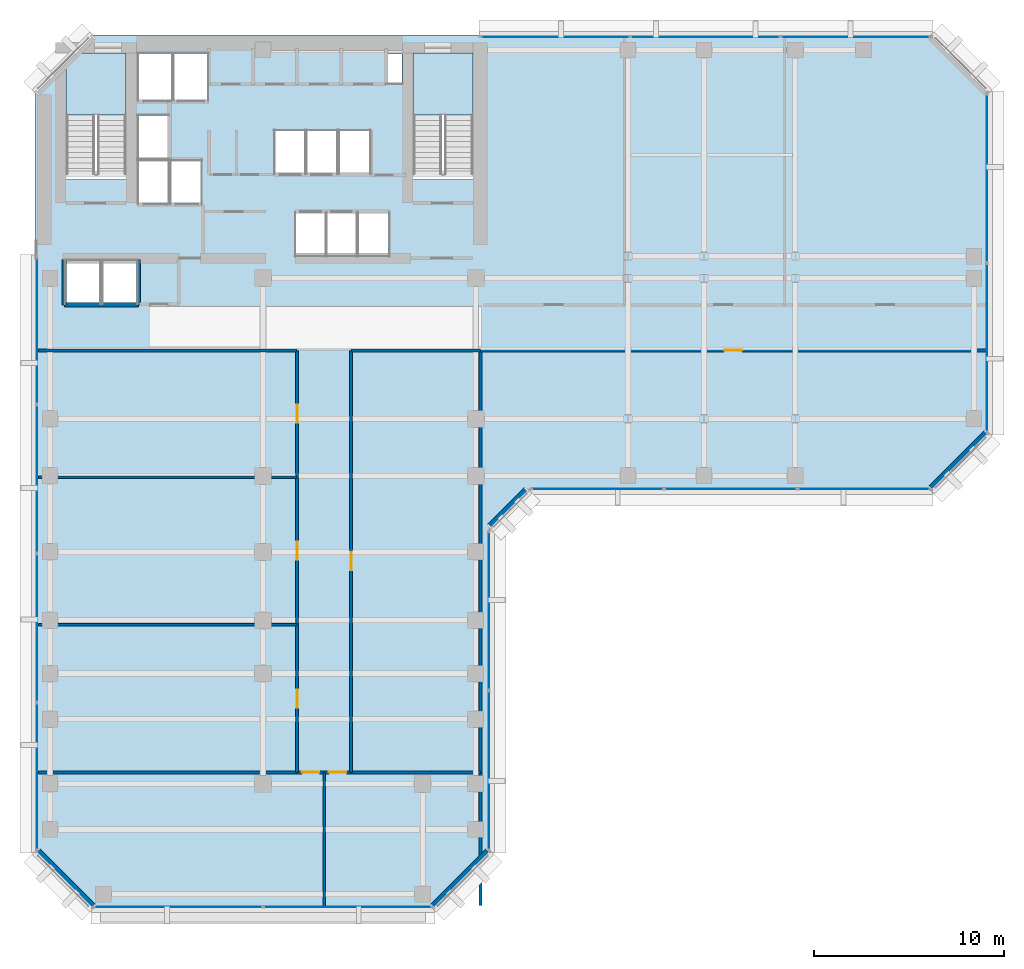
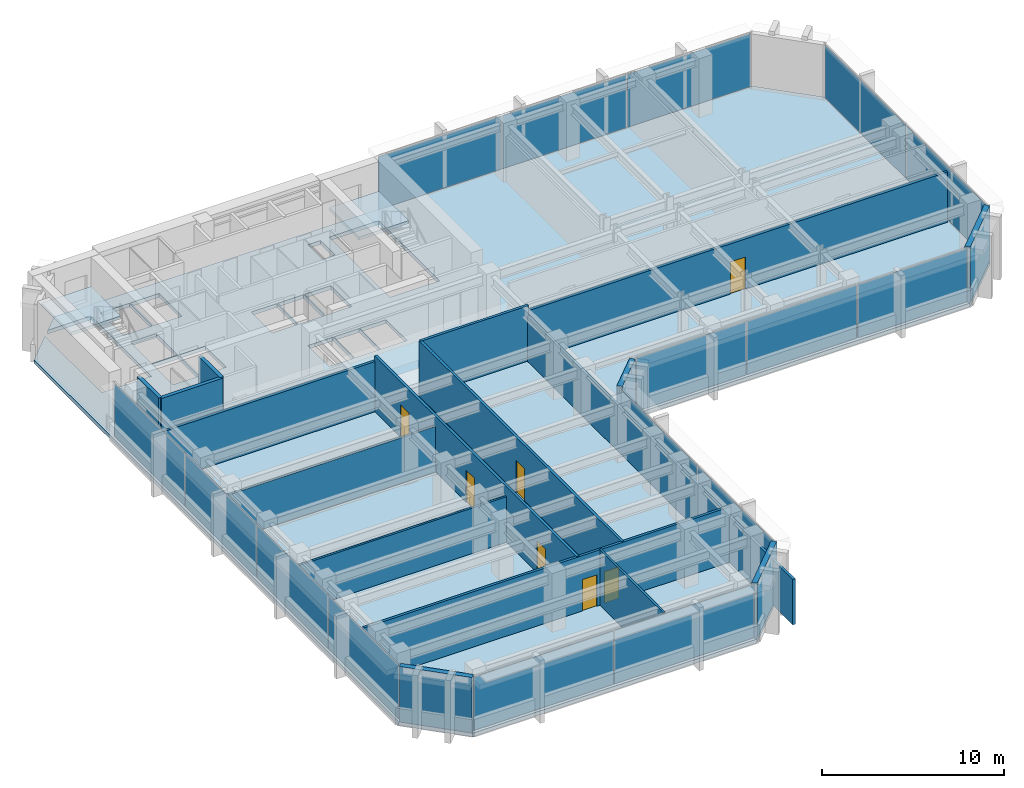
# One storey, part 6 of 11: 17 walls, 16 plates, 7 doors, 3 slabs, 7 openings, 8 elements without a shape of their own.
"""IFC4 building model written with IfcOpenShell, lengths in metres."""

from ifc_helpers import new_model, si_unit, direction, frame, frame_2d, origin, origin_2d, place, context, subcontext, project, spatial, polyline, rectangle, outline, extrude, material, layer, layer_set, type_object, element, fill, aggregate, save


model = new_model("IFC4")

# Units and contexts
model_context = context("Model", 3, precision=1e-05, world=origin(), true_north=direction((0.0, 1.0)))
body_context = subcontext(model_context, "Body", "Model", "MODEL_VIEW")
ifc_project = project(units=[si_unit("LENGTHUNIT", "METRE"), si_unit("AREAUNIT", "SQUARE_METRE"), si_unit("VOLUMEUNIT", "CUBIC_METRE"), si_unit("PLANEANGLEUNIT", "RADIAN"), si_unit("MASSUNIT", "GRAM", prefix="KILO")], contexts=[model_context])

# Site, building, storey
site_placement = place(None, origin())
site = spatial("IfcSite", under=ifc_project, at=site_placement, CompositionType="ELEMENT")
building_placement = place(site_placement, origin())
building = spatial("IfcBuilding", under=site, at=building_placement, Name="Kefirva Bronze Tower", CompositionType="ELEMENT")
storey_placement = place(building_placement, frame((0.0, 0.0, 166.64990234375)))
storey = spatial("IfcBuildingStorey", under=building, at=storey_placement, Name="L40", CompositionType="ELEMENT", Elevation=166.64990234375)

# Stair, slab
ifc_material_1 = material(Name="Concrete C40/50", Category="concrete")
stair_type = type_object("IfcStairType", Name="RC Dogleg Protected Stair 24R", PredefinedType="HALF_TURN_STAIR", material=ifc_material_1)
stair_1_placement = place(storey_placement, origin())
stair_1 = element("IfcStair", 1, at=stair_1_placement, inside=storey, type_object=stair_type, Name="L40 Protected Exit Stair 1", PredefinedType="HALF_TURN_STAIR")
ifc_layer_1 = layer(ifc_material_1, 0.199951171875, Name="Concrete C40/50")
ifc_layer_set_1 = layer_set([ifc_layer_1], Name="Concrete C40/50")
slab_type_1 = type_object("IfcSlabType", Name="RC Stair Landing Slab 200mm", PredefinedType="LANDING", material=ifc_layer_set_1)
slab_1_placement = place(storey_placement, frame((0.0, 0.0, 1.780029296875)))
slab_1 = element("IfcSlab", 2, at=slab_1_placement, type_object=slab_type_1, Name="ST-1 landing 1", PredefinedType="LANDING", context=body_context, shape_type="SweptSolid", body=[
    extrude(outline(polyline([(4.800048828125, 41.780029296875), (4.800048828125, 45.050048828125), (1.64990234375, 45.050048828125), (1.64990234375, 41.780029296875), (4.800048828125, 41.780029296875)])), origin(), (0.0, 0.0, 1.0), 0.199951171875),
])
aggregate(stair_1, [slab_1])

stair_2_placement = place(storey_placement, origin())
stair_2 = element("IfcStair", 3, at=stair_2_placement, inside=storey, type_object=stair_type, Name="L40 Protected Exit Stair 2", PredefinedType="HALF_TURN_STAIR")
slab_2_placement = place(storey_placement, frame((0.0, 0.0, 1.780029296875)))
slab_2 = element("IfcSlab", 4, at=slab_2_placement, type_object=slab_type_1, Name="ST-2 landing 1", PredefinedType="LANDING", context=body_context, shape_type="SweptSolid", body=[
    extrude(outline(polyline([(23.050048828125, 41.780029296875), (23.050048828125, 45.050048828125), (19.89990234375, 45.050048828125), (19.89990234375, 41.780029296875), (23.050048828125, 41.780029296875)])), origin(), (0.0, 0.0, 1.0), 0.199951171875),
])
aggregate(stair_2, [slab_2])

# Slab
ifc_layer_2 = layer(ifc_material_1, 0.25, Name="Concrete C40/50")
ifc_layer_set_2 = layer_set([ifc_layer_2], Name="Concrete C40/50")
slab_type_2 = type_object("IfcSlabType", Name="RC Tower Floor Slab 250mm", PredefinedType="FLOOR", material=ifc_layer_set_2)
slab_3_placement = place(storey_placement, frame((0.0, 0.0, -0.25)))
element("IfcSlab", 5, at=slab_3_placement, inside=storey, type_object=slab_type_2, Name="L40 Structural Floor Slab", PredefinedType="FLOOR", context=body_context, shape_type="SweptSolid", body=[
    extrude(outline(polyline([(0.0, 3.0), (0.0, 43.0), (1.64990234375, 44.64990234375), (1.64990234375, 38.39990234375), (4.800048828125, 38.39990234375), (4.800048828125, 45.050048828125), (2.050048828125, 45.050048828125), (3.0, 46.0), (47.199951171875, 46.0), (50.199951171875, 43.0), (50.199951171875, 25.0), (47.199951171875, 22.0), (26.0, 22.0), (24.0, 20.0), (24.0, 3.0), (21.0, 0.0), (3.0, 0.0), (0.0, 3.0)]), holes=[polyline([(23.050048828125, 38.39990234375), (23.050048828125, 45.050048828125), (19.89990234375, 45.050048828125), (19.89990234375, 38.39990234375), (23.050048828125, 38.39990234375)]), polyline([(19.320068359375, 43.419921875), (19.320068359375, 45.0), (18.52001953125, 45.0), (18.52001953125, 43.419921875), (19.320068359375, 43.419921875)]), polyline([(18.64990234375, 34.35009765625), (18.64990234375, 36.64990234375), (17.0, 36.64990234375), (17.0, 34.35009765625), (18.64990234375, 34.35009765625)]), polyline([(17.64990234375, 38.679931640625), (17.64990234375, 40.97998046875), (16.0, 40.97998046875), (16.0, 38.679931640625), (17.64990234375, 38.679931640625)]), polyline([(16.949951171875, 34.35009765625), (16.949951171875, 36.64990234375), (15.35009765625, 36.64990234375), (15.35009765625, 34.35009765625), (16.949951171875, 34.35009765625)]), polyline([(15.929931640625, 38.679931640625), (15.929931640625, 40.97998046875), (14.300048828125, 40.97998046875), (14.300048828125, 38.679931640625), (15.929931640625, 38.679931640625)]), polyline([(15.300048828125, 34.35009765625), (15.300048828125, 36.64990234375), (13.699951171875, 36.64990234375), (13.699951171875, 34.35009765625), (15.300048828125, 34.35009765625)]), polyline([(14.22998046875, 38.679931640625), (14.22998046875, 40.97998046875), (12.60009765625, 40.97998046875), (12.60009765625, 38.679931640625), (14.22998046875, 38.679931640625)]), polyline([(9.1201171875, 42.550048828125), (9.1201171875, 45.050048828125), (7.300048828125, 45.050048828125), (7.300048828125, 42.550048828125), (9.1201171875, 42.550048828125)]), polyline([(8.780029296875, 37.10009765625), (8.780029296875, 39.39990234375), (7.139892578125, 39.39990234375), (7.139892578125, 37.10009765625), (8.780029296875, 37.10009765625)]), polyline([(7.239990234375, 42.550048828125), (7.239990234375, 45.050048828125), (5.419921875, 45.050048828125), (5.419921875, 42.550048828125), (7.239990234375, 42.550048828125)]), polyline([(7.06005859375, 37.10009765625), (7.06005859375, 39.39990234375), (5.419921875, 39.39990234375), (5.419921875, 37.10009765625), (7.06005859375, 37.10009765625)]), polyline([(7.06005859375, 39.47998046875), (7.06005859375, 41.780029296875), (5.419921875, 41.780029296875), (5.419921875, 39.47998046875), (7.06005859375, 39.47998046875)]), polyline([(5.39990234375, 31.85009765625), (5.39990234375, 34.14990234375), (3.550048828125, 34.14990234375), (3.550048828125, 31.85009765625), (5.39990234375, 31.85009765625)]), polyline([(3.449951171875, 31.85009765625), (3.449951171875, 34.14990234375), (1.60009765625, 34.14990234375), (1.60009765625, 31.85009765625), (3.449951171875, 31.85009765625)])]), origin(), (0.0, 0.0, 1.0), 0.25),
])

# Curtain wall, plates
ifc_material_2 = material(Name="Bronze anodised aluminium", Category="aluminium")
ifc_layer_3 = layer(ifc_material_2, 0.199951171875, Name="Bronze anodised aluminium")
ifc_layer_set_3 = layer_set([ifc_layer_3], Name="Bronze anodised aluminium")
curtain_wall_type = type_object("IfcCurtainWallType", Name="Unitised Bronze Ribbon Curtain Wall Zone 2", PredefinedType="USERDEFINED", material=ifc_layer_set_3)
curtain_wall_1_placement = place(storey_placement, origin())
curtain_wall_1 = element("IfcCurtainWall", 6, at=curtain_wall_1_placement, inside=storey, type_object=curtain_wall_type, Name="L40 Curtain Wall 1", ObjectType="UNITISED CURTAIN WALL", PredefinedType="USERDEFINED")
ifc_material_3 = material(Name="Laminated low-E double glazing", Category="glass")
ifc_layer_4 = layer(ifc_material_3, 0.031982421875, Name="Laminated low-E double glazing")
ifc_layer_set_4 = layer_set([ifc_layer_4], Name="Laminated low-E double glazing")
plate_type = type_object("IfcPlateType", Name="Solar-Control Low-E Vision Panel 32mm", PredefinedType="CURTAIN_PANEL", material=ifc_layer_set_4)
plate_1_placement = place(storey_placement, frame((7.546142578125, 0.1201171875, 0.074951171875), z_axis=(0.0, 0.0, 1.0), x_axis=(1.0, 0.0, 0.0)))
plate_1 = element("IfcPlate", 7, at=plate_1_placement, type_object=plate_type, Name="CW-02 panel 1.1", PredefinedType="CURTAIN_PANEL", context=body_context, shape_type="SweptSolid", body=[
    extrude(rectangle(XDim=8.83251953125, YDim=0.031982421875, at=origin_2d()), origin(), (0.0, 0.0, 1.0), 3.56005859375),
])
plate_2_placement = place(storey_placement, frame((16.453857421875, 0.1201171875, 0.074951171875), z_axis=(0.0, 0.0, 1.0), x_axis=(1.0, 0.0, 0.0)))
plate_2 = element("IfcPlate", 8, at=plate_2_placement, type_object=plate_type, Name="CW-02 panel 2.1", PredefinedType="CURTAIN_PANEL", context=body_context, shape_type="SweptSolid", body=[
    extrude(rectangle(XDim=8.83251953125, YDim=0.031982421875, at=origin_2d()), origin(), (0.0, 0.0, 1.0), 3.56005859375),
])
aggregate(curtain_wall_1, [plate_1, plate_2])

curtain_wall_2_placement = place(storey_placement, origin())
curtain_wall_2 = element("IfcCurtainWall", 9, at=curtain_wall_2_placement, inside=storey, type_object=curtain_wall_type, Name="L40 Curtain Wall 2", ObjectType="UNITISED CURTAIN WALL", PredefinedType="USERDEFINED")
plate_3_placement = place(storey_placement, frame((23.8798828125, 7.296142578125, 0.074951171875), z_axis=(0.0, 0.0, 1.0), x_axis=(0.0, 1.0, 0.0)))
plate_3 = element("IfcPlate", 10, at=plate_3_placement, type_object=plate_type, Name="CW-02 panel 1.1", PredefinedType="CURTAIN_PANEL", context=body_context, shape_type="SweptSolid", body=[
    extrude(rectangle(XDim=8.33251953125, YDim=0.031982421875, at=origin_2d()), origin(), (0.0, 0.0, 1.0), 3.56005859375),
])
plate_4_placement = place(storey_placement, frame((23.8798828125, 15.703857421875, 0.074951171875), z_axis=(0.0, 0.0, 1.0), x_axis=(0.0, 1.0, 0.0)))
plate_4 = element("IfcPlate", 11, at=plate_4_placement, type_object=plate_type, Name="CW-02 panel 2.1", PredefinedType="CURTAIN_PANEL", context=body_context, shape_type="SweptSolid", body=[
    extrude(rectangle(XDim=8.33251953125, YDim=0.031982421875, at=origin_2d()), origin(), (0.0, 0.0, 1.0), 3.56005859375),
])
aggregate(curtain_wall_2, [plate_3, plate_4])

curtain_wall_3_placement = place(storey_placement, origin())
curtain_wall_3 = element("IfcCurtainWall", 12, at=curtain_wall_3_placement, inside=storey, type_object=curtain_wall_type, Name="L40 Curtain Wall 3", ObjectType="UNITISED CURTAIN WALL", PredefinedType="USERDEFINED")
plate_5_placement = place(storey_placement, frame((29.5888671875, 22.1201171875, 0.074951171875), z_axis=(0.0, 0.0, 1.0), x_axis=(1.0, 0.0, 0.0)))
plate_5 = element("IfcPlate", 13, at=plate_5_placement, type_object=plate_type, Name="CW-02 panel 1.1", PredefinedType="CURTAIN_PANEL", context=body_context, shape_type="SweptSolid", body=[
    extrude(rectangle(XDim=6.91748046875, YDim=0.031982421875, at=origin_2d()), origin(), (0.0, 0.0, 1.0), 3.56005859375),
])
plate_6_placement = place(storey_placement, frame((36.60009765625, 22.1201171875, 0.074951171875), z_axis=(0.0, 0.0, 1.0), x_axis=(1.0, 0.0, 0.0)))
plate_6 = element("IfcPlate", 14, at=plate_6_placement, type_object=plate_type, Name="CW-02 panel 2.1", PredefinedType="CURTAIN_PANEL", context=body_context, shape_type="SweptSolid", body=[
    extrude(rectangle(XDim=6.955078125, YDim=0.031982421875, at=origin_2d()), origin(), (0.0, 0.0, 1.0), 3.56005859375),
])
plate_7_placement = place(storey_placement, frame((43.611328125, 22.1201171875, 0.074951171875), z_axis=(0.0, 0.0, 1.0), x_axis=(1.0, 0.0, 0.0)))
plate_7 = element("IfcPlate", 15, at=plate_7_placement, type_object=plate_type, Name="CW-02 panel 3.1", PredefinedType="CURTAIN_PANEL", context=body_context, shape_type="SweptSolid", body=[
    extrude(rectangle(XDim=6.91748046875, YDim=0.031982421875, at=origin_2d()), origin(), (0.0, 0.0, 1.0), 3.56005859375),
])
aggregate(curtain_wall_3, [plate_5, plate_6, plate_7])

curtain_wall_4_placement = place(storey_placement, origin())
curtain_wall_4 = element("IfcCurtainWall", 16, at=curtain_wall_4_placement, inside=storey, type_object=curtain_wall_type, Name="L40 Curtain Wall 4", ObjectType="UNITISED CURTAIN WALL", PredefinedType="USERDEFINED")
plate_8_placement = place(storey_placement, frame((50.080078125, 29.546142578125, 0.074951171875), z_axis=(0.0, 0.0, 1.0), x_axis=(0.0, 1.0, 0.0)))
plate_8 = element("IfcPlate", 17, at=plate_8_placement, type_object=plate_type, Name="CW-02 panel 1.1", PredefinedType="CURTAIN_PANEL", context=body_context, shape_type="SweptSolid", body=[
    extrude(rectangle(XDim=8.83251953125, YDim=0.031982421875, at=origin_2d()), origin(), (0.0, 0.0, 1.0), 3.56005859375),
])
plate_9_placement = place(storey_placement, frame((50.080078125, 38.453857421875, 0.074951171875), z_axis=(0.0, 0.0, 1.0), x_axis=(0.0, 1.0, 0.0)))
plate_9 = element("IfcPlate", 18, at=plate_9_placement, type_object=plate_type, Name="CW-02 panel 2.1", PredefinedType="CURTAIN_PANEL", context=body_context, shape_type="SweptSolid", body=[
    extrude(rectangle(XDim=8.83251953125, YDim=0.031982421875, at=origin_2d()), origin(), (0.0, 0.0, 1.0), 3.56005859375),
])
aggregate(curtain_wall_4, [plate_8, plate_9])

curtain_wall_5_placement = place(storey_placement, origin())
curtain_wall_5 = element("IfcCurtainWall", 19, at=curtain_wall_5_placement, inside=storey, type_object=curtain_wall_type, Name="L40 Curtain Wall 5", ObjectType="UNITISED CURTAIN WALL", PredefinedType="USERDEFINED")
plate_10_placement = place(storey_placement, frame((43.169677734375, 45.8798828125, 0.074951171875), z_axis=(0.0, 0.0, 1.0), x_axis=(-1.0, 0.0, 0.0)))
plate_10 = element("IfcPlate", 20, at=plate_10_placement, type_object=plate_type, Name="CW-02 panel 1.1", PredefinedType="CURTAIN_PANEL", context=body_context, shape_type="SweptSolid", body=[
    extrude(rectangle(XDim=7.80078125, YDim=0.031982421875, at=origin_2d()), origin(), (0.0, 0.0, 1.0), 3.56005859375),
])
plate_11_placement = place(storey_placement, frame((35.27490234375, 45.8798828125, 0.074951171875), z_axis=(0.0, 0.0, 1.0), x_axis=(-1.0, 0.0, 0.0)))
plate_11 = element("IfcPlate", 21, at=plate_11_placement, type_object=plate_type, Name="CW-02 panel 2.1", PredefinedType="CURTAIN_PANEL", context=body_context, shape_type="SweptSolid", body=[
    extrude(rectangle(XDim=7.83837890625, YDim=0.031982421875, at=origin_2d()), origin(), (0.0, 0.0, 1.0), 3.56005859375),
])
plate_12_placement = place(storey_placement, frame((27.38037109375, 45.8798828125, 0.074951171875), z_axis=(0.0, 0.0, 1.0), x_axis=(-1.0, 0.0, 0.0)))
plate_12 = element("IfcPlate", 22, at=plate_12_placement, type_object=plate_type, Name="CW-02 panel 3.1", PredefinedType="CURTAIN_PANEL", context=body_context, shape_type="SweptSolid", body=[
    extrude(rectangle(XDim=7.80078125, YDim=0.031982421875, at=origin_2d()), origin(), (0.0, 0.0, 1.0), 3.56005859375),
])
aggregate(curtain_wall_5, [plate_10, plate_11, plate_12])

curtain_wall_6_placement = place(storey_placement, origin())
curtain_wall_6 = element("IfcCurtainWall", 23, at=curtain_wall_6_placement, inside=storey, type_object=curtain_wall_type, Name="L40 Curtain Wall 6", ObjectType="UNITISED CURTAIN WALL", PredefinedType="USERDEFINED")
plate_13_placement = place(storey_placement, frame((0.1201171875, 30.458740234375, 0.074951171875), z_axis=(0.0, 0.0, 1.0), x_axis=(0.0, -1.0, 0.0)))
plate_13 = element("IfcPlate", 24, at=plate_13_placement, type_object=plate_type, Name="CW-02 panel 1.1", PredefinedType="CURTAIN_PANEL", context=body_context, shape_type="SweptSolid", body=[
    extrude(rectangle(XDim=7.722412109375, YDim=0.031982421875, at=origin_2d()), origin(), (0.0, 0.0, 1.0), 3.56005859375),
])
plate_14_placement = place(storey_placement, frame((0.1201171875, 22.642578125, 0.074951171875), z_axis=(0.0, 0.0, 1.0), x_axis=(0.0, -1.0, 0.0)))
plate_14 = element("IfcPlate", 25, at=plate_14_placement, type_object=plate_type, Name="CW-02 panel 2.1", PredefinedType="CURTAIN_PANEL", context=body_context, shape_type="SweptSolid", body=[
    extrude(rectangle(XDim=7.760009765625, YDim=0.031982421875, at=origin_2d()), origin(), (0.0, 0.0, 1.0), 3.56005859375),
])
plate_15_placement = place(storey_placement, frame((0.1201171875, 14.8076171875, 0.074951171875), z_axis=(0.0, 0.0, 1.0), x_axis=(0.0, -1.0, 0.0)))
plate_15 = element("IfcPlate", 26, at=plate_15_placement, type_object=plate_type, Name="CW-02 panel 3.1", PredefinedType="CURTAIN_PANEL", context=body_context, shape_type="SweptSolid", body=[
    extrude(rectangle(XDim=7.760009765625, YDim=0.031982421875, at=origin_2d()), origin(), (0.0, 0.0, 1.0), 3.56005859375),
])
plate_16_placement = place(storey_placement, frame((0.1201171875, 6.9912109375, 0.074951171875), z_axis=(0.0, 0.0, 1.0), x_axis=(0.0, -1.0, 0.0)))
plate_16 = element("IfcPlate", 27, at=plate_16_placement, type_object=plate_type, Name="CW-02 panel 4.1", PredefinedType="CURTAIN_PANEL", context=body_context, shape_type="SweptSolid", body=[
    extrude(rectangle(XDim=7.722412109375, YDim=0.031982421875, at=origin_2d()), origin(), (0.0, 0.0, 1.0), 3.56005859375),
])
aggregate(curtain_wall_6, [plate_13, plate_14, plate_15, plate_16])

# Walls
ifc_material_4 = material(Name="Gypsum acoustic partition")
ifc_layer_5 = layer(ifc_material_4, 0.1298828125, Name="Gypsum acoustic partition")
ifc_layer_set_5 = layer_set([ifc_layer_5], Name="Gypsum acoustic partition")
wall_type_1 = type_object("IfcWallType", Name="Acoustic Office Partition 130mm", PredefinedType="PARTITIONING", material=ifc_layer_set_5)
wall_1_placement = place(storey_placement, frame((15.219970703125, 0.18994140625, 0.0), z_axis=(0.0, 0.0, 1.0), x_axis=(0.0, 1.0, 0.0)))
element("IfcWall", 28, at=wall_1_placement, inside=storey, type_object=wall_type_1, Name="L40 Partition W-L40-CAPDV", PredefinedType="PARTITIONING", context=body_context, shape_type="SweptSolid", body=[
    extrude(rectangle(XDim=7.010009765625, YDim=0.1298828125, at=frame_2d((3.5048828125, 0.0))), origin(), (0.0, 0.0, 1.0), 3.710205078125),
])
for number, where, z_axis, x_axis, name in (
    (29, (0.18994140625, 14.969970703125, 0.0), (0.0, 0.0, 1.0), (1.0, 0.0, 0.0), "L40 Partition W-L40-SWD1"),
    (30, (0.18994140625, 22.739990234375, 0.0), (0.0, 0.0, 1.0), (1.0, 0.0, 0.0), "L40 Partition W-L40-SWD2"),
):
    element("IfcWall", number, at=place(storey_placement, frame(where, z_axis=z_axis, x_axis=x_axis)), inside=storey, type_object=wall_type_1, Name=name, PredefinedType="PARTITIONING", context=body_context, shape_type="SweptSolid", body=[
        extrude(rectangle(XDim=13.610107421875, YDim=0.1298828125, at=frame_2d((6.80517578125, 0.0))), origin(), (0.0, 0.0, 1.0), 3.045166015625),
    ])
ifc_material_5 = material(Name="Gypsum fireboard shaftwall")
ifc_layer_6 = layer(ifc_material_5, 0.219970703125, Name="Gypsum fireboard shaftwall")
ifc_layer_set_6 = layer_set([ifc_layer_6], Name="Gypsum fireboard shaftwall")
wall_type_2 = type_object("IfcWallType", Name="Fire-Rated Shaft Enclosure Wall 220mm", PredefinedType="PARTITIONING", material=ifc_layer_set_6)
wall_2_placement = place(storey_placement, frame((1.550048828125, 31.800048828125, 0.0), z_axis=(0.0, 0.0, 1.0), x_axis=(1.0, 0.0, 0.0)))
element("IfcWall", 31, at=wall_2_placement, inside=storey, type_object=wall_type_2, Name="L40 Partition W-L40-OBS", PredefinedType="PARTITIONING", context=body_context, shape_type="SweptSolid", body=[
    extrude(rectangle(XDim=3.89990234375, YDim=0.219970703125, at=frame_2d((1.949951171875, 0.0))), origin(), (0.0, 0.0, 1.0), 3.710205078125),
])
for number, where, z_axis, x_axis, name in (
    (32, (1.550048828125, 31.800048828125, 0.0), (0.0, 0.0, 1.0), (0.0, 1.0, 0.0), "L40 Partition W-L40-OBW"),
    (33, (5.449951171875, 31.800048828125, 0.0), (0.0, 0.0, 1.0), (0.0, 1.0, 0.0), "L40 Partition W-L40-OBE"),
):
    element("IfcWall", number, at=place(storey_placement, frame(where, z_axis=z_axis, x_axis=x_axis)), inside=storey, type_object=wall_type_2, Name=name, PredefinedType="PARTITIONING", context=body_context, shape_type="SweptSolid", body=[
        extrude(rectangle(XDim=2.3798828125, YDim=0.219970703125, at=frame_2d((1.18994140625, 0.0))), origin(), (0.0, 0.0, 1.0), 3.710205078125),
    ])
ifc_material_6 = material(Name="Precast concrete C40/50", Category="concrete")
ifc_layer_7 = layer(ifc_material_6, 0.320068359375, Name="Precast concrete C40/50")
ifc_layer_set_7 = layer_set([ifc_layer_7], Name="Precast concrete C40/50")
wall_type_3 = type_object("IfcWallType", Name="Precast Insulated Exterior Wall 320mm", PredefinedType="SOLIDWALL", material=ifc_layer_set_7)
wall_3_placement = place(storey_placement, frame((20.92578125, 0.152099609375, 0.0), z_axis=(0.0, 0.0, 1.0), x_axis=(0.707106781187, 0.707106781187, 0.0)))
element("IfcWall", 34, at=wall_3_placement, inside=storey, type_object=wall_type_3, Name="L40 Exterior Facade Wall 1", PredefinedType="SOLIDWALL", context=body_context, shape_type="SweptSolid", body=[
    extrude(rectangle(XDim=4.132568359375, YDim=0.320068359375, at=frame_2d((2.06640625, 0.0))), origin(), (0.0, 0.0, 1.0), 3.710205078125),
])
wall_4_placement = place(storey_placement, frame((23.92578125, 20.152099609375, 0.0), z_axis=(0.0, 0.0, 1.0), x_axis=(0.707106781187, 0.707106781187, 0.0)))
element("IfcWall", 35, at=wall_4_placement, inside=storey, type_object=wall_type_3, Name="L40 Exterior Facade Wall 2", PredefinedType="SOLIDWALL", context=body_context, shape_type="SweptSolid", body=[
    extrude(rectangle(XDim=2.71826171875, YDim=0.320068359375, at=frame_2d((1.359130859375, 0.0))), origin(), (0.0, 0.0, 1.0), 3.710205078125),
])
for number, where, z_axis, x_axis, name in (
    (36, (47.125732421875, 22.152099609375, 0.0), (0.0, 0.0, 1.0), (0.707136318428, 0.707077242712, 0.0), "L40 Exterior Facade Wall 3"),
    (37, (0.152099609375, 3.07421875, 0.0), (0.0, 0.0, 1.0), (0.707106781187, -0.707106781187, 0.0), "L40 Exterior Facade Wall 6"),
):
    element("IfcWall", number, at=place(storey_placement, frame(where, z_axis=z_axis, x_axis=x_axis)), inside=storey, type_object=wall_type_3, Name=name, PredefinedType="SOLIDWALL", context=body_context, shape_type="SweptSolid", body=[
        extrude(rectangle(XDim=4.132568359375, YDim=0.320068359375, at=frame_2d((2.06640625, 0.0))), origin(), (0.0, 0.0, 1.0), 3.710205078125),
    ])

# Wall, openings, doors
ifc_layer_8 = layer(ifc_material_4, 0.159912109375, Name="Gypsum acoustic partition")
ifc_layer_set_8 = layer_set([ifc_layer_8], Name="Gypsum acoustic partition")
wall_type_4 = type_object("IfcWallType", Name="Protected Corridor Partition 160mm", PredefinedType="PARTITIONING", material=ifc_layer_set_8)
wall_5_placement = place(storey_placement, frame((13.800048828125, 7.199951171875, 0.0), z_axis=(0.0, 0.0, 1.0), x_axis=(0.0, 1.0, 0.0)))
wall_5 = element("IfcWall", 38, at=wall_5_placement, inside=storey, type_object=wall_type_4, Name="L40 Partition W-L40-SWCORW", PredefinedType="PARTITIONING", context=body_context, shape_type="SweptSolid", body=[
    extrude(rectangle(XDim=22.199951171875, YDim=0.159912109375, at=frame_2d((11.10009765625, 0.0))), origin(), (0.0, 0.0, 1.0), 3.710205078125),
])
opening_1_placement = place(wall_5_placement, frame((4.35986328125, 0.0, 0.0), z_axis=(0.0, 0.0, 1.0), x_axis=(-1.0, 0.0, 0.0)))
opening_1 = element("IfcOpeningElement", 39, at=opening_1_placement, cuts=wall_5, Name="Opening L40-D-SW1", PredefinedType="OPENING", context=body_context, shape_type="SweptSolid", body=[
    extrude(rectangle(XDim=0.949951171875, YDim=2.14990234375, at=frame_2d((0.47509765625, 1.074951171875))), frame((0.0, 0.08984375, 0.0), z_axis=(0.0, -1.0, 0.0), x_axis=(1.0, 0.0, 0.0)), (0.0, 0.0, 1.0), 0.179931640625),
])
opening_2_placement = place(wall_5_placement, frame((12.1298828125, 0.0, 0.0), z_axis=(0.0, 0.0, 1.0), x_axis=(-1.0, 0.0, 0.0)))
opening_2 = element("IfcOpeningElement", 40, at=opening_2_placement, cuts=wall_5, Name="Opening L40-D-SW2", PredefinedType="OPENING", context=body_context, shape_type="SweptSolid", body=[
    extrude(rectangle(XDim=0.949951171875, YDim=2.14990234375, at=frame_2d((0.47509765625, 1.074951171875))), frame((0.0, 0.08984375, 0.0), z_axis=(0.0, -1.0, 0.0), x_axis=(1.0, 0.0, 0.0)), (0.0, 0.0, 1.0), 0.179931640625),
])
opening_3_placement = place(wall_5_placement, frame((19.344970703125, 0.0, 0.0), z_axis=(0.0, 0.0, 1.0), x_axis=(-1.0, 0.0, 0.0)))
opening_3 = element("IfcOpeningElement", 41, at=opening_3_placement, cuts=wall_5, Name="Opening L40-D-SW3", PredefinedType="OPENING", context=body_context, shape_type="SweptSolid", body=[
    extrude(rectangle(XDim=0.949951171875, YDim=2.14990234375, at=frame_2d((0.47509765625, 1.074951171875))), frame((0.0, 0.08984375, 0.0), z_axis=(0.0, -1.0, 0.0), x_axis=(1.0, 0.0, 0.0)), (0.0, 0.0, 1.0), 0.179931640625),
])
ifc_material_7 = material(Name="Acoustic hardwood oak", Category="wood")
door_type_1 = type_object("IfcDoorType", Name="Office & Meeting Room Door 950x2150", OperationType="NOTDEFINED", PredefinedType="DOOR", material=ifc_material_7)
door_1_placement = place(opening_1_placement, origin())
door_1 = element("IfcDoor", 42, at=door_1_placement, inside=storey, type_object=door_type_1, Name="Door L40-D-SW1", OperationType="SINGLE_SWING_LEFT", OverallHeight=2.14990234375, OverallWidth=0.949951171875, PredefinedType="DOOR", context=body_context, shape_type="SweptSolid", body=[
    extrude(rectangle(XDim=0.949951171875, YDim=2.14990234375, at=frame_2d((0.47509765625, 1.074951171875))), frame((0.0, 0.02490234375, 0.0), z_axis=(0.0, -1.0, 0.0), x_axis=(1.0, 0.0, 0.0)), (0.0, 0.0, 1.0), 0.050048828125),
])
fill(opening_1, door_1)
door_2_placement = place(opening_2_placement, origin())
door_2 = element("IfcDoor", 43, at=door_2_placement, inside=storey, type_object=door_type_1, Name="Door L40-D-SW2", OperationType="SINGLE_SWING_RIGHT", OverallHeight=2.14990234375, OverallWidth=0.949951171875, PredefinedType="DOOR", context=body_context, shape_type="SweptSolid", body=[
    extrude(rectangle(XDim=0.949951171875, YDim=2.14990234375, at=frame_2d((0.47509765625, 1.074951171875))), frame((0.0, 0.02490234375, 0.0), z_axis=(0.0, -1.0, 0.0), x_axis=(1.0, 0.0, 0.0)), (0.0, 0.0, 1.0), 0.050048828125),
])
fill(opening_2, door_2)
door_3_placement = place(opening_3_placement, origin())
door_3 = element("IfcDoor", 44, at=door_3_placement, inside=storey, type_object=door_type_1, Name="Door L40-D-SW3", OperationType="SINGLE_SWING_LEFT", OverallHeight=2.14990234375, OverallWidth=0.949951171875, PredefinedType="DOOR", context=body_context, shape_type="SweptSolid", body=[
    extrude(rectangle(XDim=0.949951171875, YDim=2.14990234375, at=frame_2d((0.47509765625, 1.074951171875))), frame((0.0, 0.02490234375, 0.0), z_axis=(0.0, -1.0, 0.0), x_axis=(1.0, 0.0, 0.0)), (0.0, 0.0, 1.0), 0.050048828125),
])
fill(opening_3, door_3)

# Wall, opening, door
wall_6_placement = place(storey_placement, frame((16.639892578125, 7.199951171875, 0.0), z_axis=(0.0, 0.0, 1.0), x_axis=(0.0, 1.0, 0.0)))
wall_6 = element("IfcWall", 45, at=wall_6_placement, inside=storey, type_object=wall_type_4, Name="L40 Partition W-L40-SECORE", PredefinedType="PARTITIONING", context=body_context, shape_type="SweptSolid", body=[
    extrude(rectangle(XDim=22.199951171875, YDim=0.159912109375, at=frame_2d((11.10009765625, 0.0))), origin(), (0.0, 0.0, 1.0), 3.710205078125),
])
opening_4_placement = place(wall_6_placement, frame((10.625, 0.0, 0.0)))
opening_4 = element("IfcOpeningElement", 46, at=opening_4_placement, cuts=wall_6, Name="Opening L40-D-SE1", PredefinedType="OPENING", context=body_context, shape_type="SweptSolid", body=[
    extrude(rectangle(XDim=0.949951171875, YDim=2.14990234375, at=frame_2d((0.47509765625, 1.074951171875))), frame((0.0, 0.08984375, 0.0), z_axis=(0.0, -1.0, 0.0), x_axis=(1.0, 0.0, 0.0)), (0.0, 0.0, 1.0), 0.179931640625),
])
door_4_placement = place(opening_4_placement, origin())
door_4 = element("IfcDoor", 47, at=door_4_placement, inside=storey, type_object=door_type_1, Name="Door L40-D-SE1", OperationType="SINGLE_SWING_RIGHT", OverallHeight=2.14990234375, OverallWidth=0.949951171875, PredefinedType="DOOR", context=body_context, shape_type="SweptSolid", body=[
    extrude(rectangle(XDim=0.949951171875, YDim=2.14990234375, at=frame_2d((0.47509765625, 1.074951171875))), frame((0.0, 0.02490234375, 0.0), z_axis=(0.0, -1.0, 0.0), x_axis=(1.0, 0.0, 0.0)), (0.0, 0.0, 1.0), 0.050048828125),
])
fill(opening_4, door_4)

# Wall, openings, doors
wall_7_placement = place(storey_placement, frame((0.18994140625, 7.199951171875, 0.0), z_axis=(0.0, 0.0, 1.0), x_axis=(1.0, 0.0, 0.0)))
wall_7 = element("IfcWall", 48, at=wall_7_placement, inside=storey, type_object=wall_type_4, Name="L40 Partition W-L40-SBEND", PredefinedType="PARTITIONING", context=body_context, shape_type="SweptSolid", body=[
    extrude(rectangle(XDim=23.260009765625, YDim=0.159912109375, at=frame_2d((11.6298828125, 0.0))), origin(), (0.0, 0.0, 1.0), 3.710205078125),
])
opening_5_placement = place(wall_7_placement, frame((13.860107421875, 0.0, 0.0)))
opening_5 = element("IfcOpeningElement", 49, at=opening_5_placement, cuts=wall_7, Name="Opening L40-D-SEND1", PredefinedType="OPENING", context=body_context, shape_type="SweptSolid", body=[
    extrude(rectangle(XDim=0.919921875, YDim=2.10009765625, at=frame_2d((0.4599609375, 1.050048828125))), frame((0.0, 0.08984375, 0.0), z_axis=(0.0, -1.0, 0.0), x_axis=(1.0, 0.0, 0.0)), (0.0, 0.0, 1.0), 0.179931640625),
])
opening_6_placement = place(wall_7_placement, frame((15.280029296875, 0.0, 0.0)))
opening_6 = element("IfcOpeningElement", 50, at=opening_6_placement, cuts=wall_7, Name="Opening L40-D-SEND2", PredefinedType="OPENING", context=body_context, shape_type="SweptSolid", body=[
    extrude(rectangle(XDim=0.919921875, YDim=2.10009765625, at=frame_2d((0.4599609375, 1.050048828125))), frame((0.0, 0.08984375, 0.0), z_axis=(0.0, -1.0, 0.0), x_axis=(1.0, 0.0, 0.0)), (0.0, 0.0, 1.0), 0.179931640625),
])
ifc_material_8 = material(Name="Moisture-resistant timber", Category="wood")
door_type_2 = type_object("IfcDoorType", Name="Accessible Sanitary & WC Door 920x2100", OperationType="NOTDEFINED", PredefinedType="DOOR", material=ifc_material_8)
door_5_placement = place(opening_5_placement, origin())
door_5 = element("IfcDoor", 51, at=door_5_placement, inside=storey, type_object=door_type_2, Name="Door L40-D-SEND1", OperationType="SINGLE_SWING_LEFT", OverallHeight=2.10009765625, OverallWidth=0.919921875, PredefinedType="DOOR", context=body_context, shape_type="SweptSolid", body=[
    extrude(rectangle(XDim=0.919921875, YDim=2.10009765625, at=frame_2d((0.4599609375, 1.050048828125))), frame((0.0, 0.02490234375, 0.0), z_axis=(0.0, -1.0, 0.0), x_axis=(1.0, 0.0, 0.0)), (0.0, 0.0, 1.0), 0.050048828125),
])
fill(opening_5, door_5)
door_6_placement = place(opening_6_placement, origin())
door_6 = element("IfcDoor", 52, at=door_6_placement, inside=storey, type_object=door_type_2, Name="Door L40-D-SEND2", OperationType="SINGLE_SWING_RIGHT", OverallHeight=2.10009765625, OverallWidth=0.919921875, PredefinedType="DOOR", context=body_context, shape_type="SweptSolid", body=[
    extrude(rectangle(XDim=0.919921875, YDim=2.10009765625, at=frame_2d((0.4599609375, 1.050048828125))), frame((0.0, 0.02490234375, 0.0), z_axis=(0.0, -1.0, 0.0), x_axis=(1.0, 0.0, 0.0)), (0.0, 0.0, 1.0), 0.050048828125),
])
fill(opening_6, door_6)

# Walls
wall_8_placement = place(storey_placement, frame((0.18994140625, 29.39990234375, 0.0), z_axis=(0.0, 0.0, 1.0), x_axis=(1.0, 0.0, 0.0)))
element("IfcWall", 53, at=wall_8_placement, inside=storey, type_object=wall_type_4, Name="L40 Partition W-L40-NWT", PredefinedType="PARTITIONING", context=body_context, shape_type="SweptSolid", body=[
    extrude(rectangle(XDim=13.610107421875, YDim=0.159912109375, at=frame_2d((6.80517578125, 0.0))), origin(), (0.0, 0.0, 1.0), 3.364990234375),
])
wall_9_placement = place(storey_placement, frame((16.639892578125, 29.39990234375, 0.0), z_axis=(0.0, 0.0, 1.0), x_axis=(1.0, 0.0, 0.0)))
element("IfcWall", 54, at=wall_9_placement, inside=storey, type_object=wall_type_4, Name="L40 Partition W-L40-NET", PredefinedType="PARTITIONING", context=body_context, shape_type="SweptSolid", body=[
    extrude(rectangle(XDim=6.81005859375, YDim=0.159912109375, at=frame_2d((3.405029296875, 0.0))), origin(), (0.0, 0.0, 1.0), 3.710205078125),
])
wall_10_placement = place(storey_placement, frame((23.449951171875, 0.18994140625, 0.0), z_axis=(0.0, 0.0, 1.0), x_axis=(0.0, 1.0, 0.0)))
element("IfcWall", 55, at=wall_10_placement, inside=storey, type_object=wall_type_4, Name="L40 Partition W-L40-SWEAST", PredefinedType="PARTITIONING", context=body_context, shape_type="SweptSolid", body=[
    extrude(rectangle(XDim=29.2099609375, YDim=0.159912109375, at=frame_2d((14.60498046875, 0.0))), origin(), (0.0, 0.0, 1.0), 3.045166015625),
])

# Wall, opening, door
wall_11_placement = place(storey_placement, frame((23.449951171875, 29.39990234375, 0.0), z_axis=(0.0, 0.0, 1.0), x_axis=(1.0, 0.0, 0.0)))
wall_11 = element("IfcWall", 56, at=wall_11_placement, inside=storey, type_object=wall_type_4, Name="L40 Partition W-L40-EWS", PredefinedType="PARTITIONING", context=body_context, shape_type="SweptSolid", body=[
    extrude(rectangle(XDim=26.56005859375, YDim=0.159912109375, at=frame_2d((13.280029296875, 0.0))), origin(), (0.0, 0.0, 1.0), 3.364990234375),
])
opening_7_placement = place(wall_11_placement, frame((13.7548828125, 0.0, 0.0), z_axis=(0.0, 0.0, 1.0), x_axis=(-1.0, 0.0, 0.0)))
opening_7 = element("IfcOpeningElement", 57, at=opening_7_placement, cuts=wall_11, Name="Opening L40-D-ES1", PredefinedType="OPENING", context=body_context, shape_type="SweptSolid", body=[
    extrude(rectangle(XDim=0.949951171875, YDim=2.14990234375, at=frame_2d((0.47509765625, 1.074951171875))), frame((0.0, 0.08984375, 0.0), z_axis=(0.0, -1.0, 0.0), x_axis=(1.0, 0.0, 0.0)), (0.0, 0.0, 1.0), 0.179931640625),
])
door_7_placement = place(opening_7_placement, origin())
door_7 = element("IfcDoor", 58, at=door_7_placement, inside=storey, type_object=door_type_1, Name="Door L40-D-ES1", OperationType="SINGLE_SWING_LEFT", OverallHeight=2.14990234375, OverallWidth=0.949951171875, PredefinedType="DOOR", context=body_context, shape_type="SweptSolid", body=[
    extrude(rectangle(XDim=0.949951171875, YDim=2.14990234375, at=frame_2d((0.47509765625, 1.074951171875))), frame((0.0, 0.02490234375, 0.0), z_axis=(0.0, -1.0, 0.0), x_axis=(1.0, 0.0, 0.0)), (0.0, 0.0, 1.0), 0.050048828125),
])
fill(opening_7, door_7)

save(model, "model.ifc")
